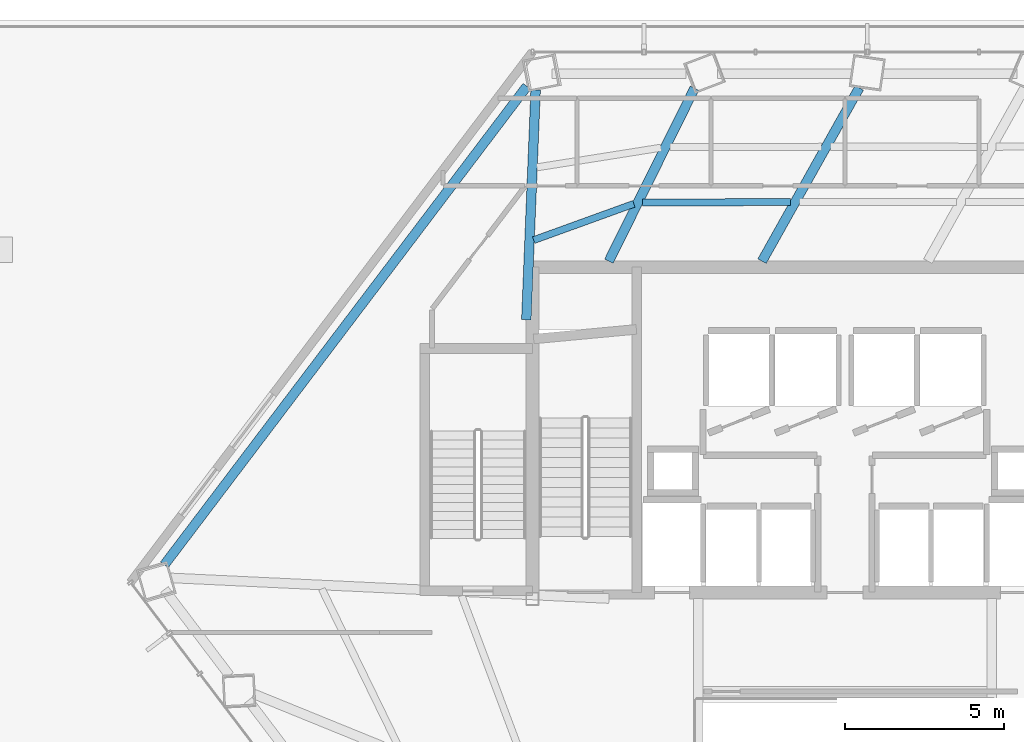
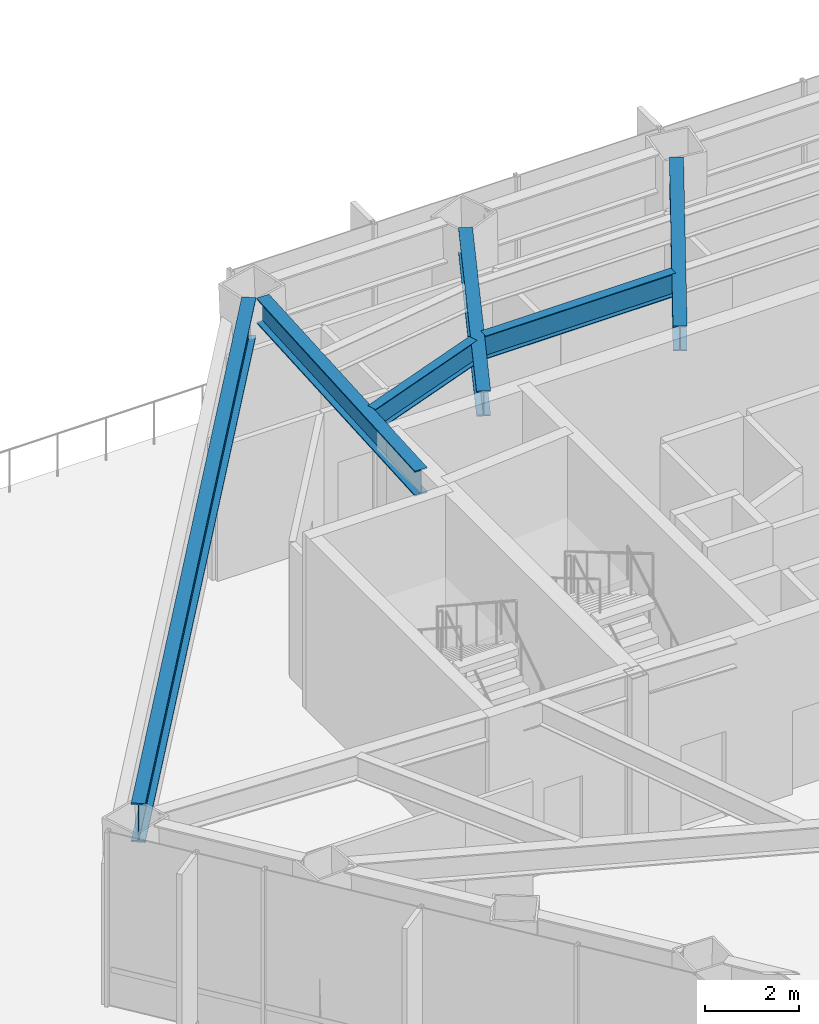
# One storey, part 13 of 30: 6 beams.
"""IFC4 building model written with IfcOpenShell, lengths in metres."""

from ifc_helpers import new_model, si_unit, direction, frame, origin, origin_2d, place, context, subcontext, project, spatial, i_section, extrude, material, material_profile, profile_set, type_object, element, save


model = new_model("IFC4")

# Units and contexts
model_context = context("Model", 3, precision=1e-05, world=origin(), true_north=direction((0.0, 1.0)))
body_context = subcontext(model_context, "Body", "Model", "MODEL_VIEW")
ifc_project = project(units=[si_unit("LENGTHUNIT", "METRE"), si_unit("AREAUNIT", "SQUARE_METRE"), si_unit("VOLUMEUNIT", "CUBIC_METRE"), si_unit("PLANEANGLEUNIT", "RADIAN"), si_unit("MASSUNIT", "GRAM", prefix="KILO")], contexts=[model_context])

# Site, building, storey
site_placement = place(None, origin())
site = spatial("IfcSite", under=ifc_project, at=site_placement, CompositionType="ELEMENT")
building_placement = place(site_placement, origin())
building = spatial("IfcBuilding", under=site, at=building_placement, Name="Zarrinselat Tower", CompositionType="ELEMENT")
storey_placement = place(building_placement, frame((0.0, 0.0, 22.780029296875)))
storey = spatial("IfcBuildingStorey", under=building, at=storey_placement, Name="L05", CompositionType="ELEMENT", Elevation=22.780029296875)

# Beams
ifc_material_1 = material(Name="Steel S355J2", Category="steel")
ifc_material_profile_1 = material_profile(ifc_material_1, i_section(OverallWidth=0.300048828125, OverallDepth=0.64990234375, WebThickness=0.01611328125, FlangeThickness=0.031005859375, at=origin_2d()), Name="HEB 650")
ifc_profile_set_1 = profile_set([ifc_material_profile_1], Name="Steel S355J2")
beam_type_1 = type_object("IfcBeamType", Name="BM-HEB650", PredefinedType="BEAM", material=ifc_profile_set_1)
beam_1_placement = place(storey_placement, frame((35.800048828125, 43.639892578125, 4.175048828125), z_axis=(0.48932512593, 0.872101439704, 0.0), x_axis=(-0.872101439704, 0.48932512593, 0.0)))
element("IfcBeam", 1, at=beam_1_placement, inside=storey, type_object=beam_type_1, Name="L05 Radial Primary Girder RG03", PredefinedType="BEAM", context=body_context, shape_type="SweptSolid", body=[
    extrude(i_section(OverallWidth=0.300048828125, OverallDepth=0.64990234375, WebThickness=0.01611328125, FlangeThickness=0.031005859375, at=origin_2d()), origin(), (0.0, 0.0, 1.0), 6.230224609375),
])
beam_2_placement = place(storey_placement, frame((31.0, 43.639892578125, 4.175048828125), z_axis=(0.443885399975, 0.896083562894, 0.0), x_axis=(-0.896083562894, 0.443885399975, 0.0)))
element("IfcBeam", 2, at=beam_2_placement, inside=storey, type_object=beam_type_1, Name="L05 Radial Primary Girder RG04", PredefinedType="BEAM", context=body_context, shape_type="SweptSolid", body=[
    extrude(i_section(OverallWidth=0.300048828125, OverallDepth=0.64990234375, WebThickness=0.01611328125, FlangeThickness=0.031005859375, at=origin_2d()), origin(), (0.0, 0.0, 1.0), 6.050048828125),
])
beam_3_placement = place(storey_placement, frame((28.409912109375, 41.800048828125, 4.175048828125), z_axis=(0.040501788713, 0.999179465917, 0.0), x_axis=(-0.999179465917, 0.040501788713, 0.0)))
element("IfcBeam", 3, at=beam_3_placement, inside=storey, type_object=beam_type_1, Name="L05 Radial Primary Girder RG05", PredefinedType="BEAM", context=body_context, shape_type="SweptSolid", body=[
    extrude(i_section(OverallWidth=0.300048828125, OverallDepth=0.64990234375, WebThickness=0.01611328125, FlangeThickness=0.031005859375, at=origin_2d()), origin(), (0.0, 0.0, 1.0), 7.21533203125),
])
ifc_material_2 = material(Name="Steel S460M", Category="steel")
ifc_material_profile_2 = material_profile(ifc_material_2, i_section(OverallWidth=0.302001953125, OverallDepth=1.008056640625, WebThickness=0.02099609375, FlangeThickness=0.0400390625, at=origin_2d()), Name="HEM 1000")
ifc_profile_set_2 = profile_set([ifc_material_profile_2], Name="Steel S460M")
beam_type_2 = type_object("IfcBeamType", Name="BM-HEM1000", PredefinedType="BEAM", material=ifc_profile_set_2)
beam_4_placement = place(storey_placement, frame((17.06298828125, 34.12060546875, 3.995849609375), z_axis=(0.603857687995, 0.797092148154, 0.0), x_axis=(-0.797092148154, 0.603857687995, 0.0)))
element("IfcBeam", 4, at=beam_4_placement, inside=storey, type_object=beam_type_2, Name="L05 Perimeter Spandrel Girder SP05", PredefinedType="BEAM", context=body_context, shape_type="SweptSolid", body=[
    extrude(i_section(OverallWidth=0.302001953125, OverallDepth=1.008056640625, WebThickness=0.02099609375, FlangeThickness=0.0400390625, at=origin_2d()), origin(), (0.0, 0.0, 1.0), 18.8203125),
])
ifc_material_3 = material(Name="Steel S355J2", Category="steel")
ifc_material_profile_3 = material_profile(ifc_material_3, i_section(OverallWidth=0.219970703125, OverallDepth=0.60009765625, WebThickness=0.011962890625, FlangeThickness=0.01904296875, at=origin_2d()), Name="IPE 600")
ifc_profile_set_3 = profile_set([ifc_material_profile_3], Name="Steel S355J2")
beam_type_3 = type_object("IfcBeamType", Name="BM-IPE600", PredefinedType="JOIST", material=ifc_profile_set_3)
beam_5_placement = place(storey_placement, frame((32.052978515625, 45.4833984375, 4.199951171875), z_axis=(0.999999646175, 0.000841219471, 0.0), x_axis=(-0.000841219471, 0.999999646175, 0.0)))
element("IfcBeam", 5, at=beam_5_placement, inside=storey, type_object=beam_type_3, Name="L05 Composite Floor Joist 10-2", PredefinedType="JOIST", context=body_context, shape_type="SweptSolid", body=[
    extrude(i_section(OverallWidth=0.219970703125, OverallDepth=0.60009765625, WebThickness=0.011962890625, FlangeThickness=0.01904296875, at=origin_2d()), origin(), (0.0, 0.0, 1.0), 4.6435546875),
])
beam_6_placement = place(storey_placement, frame((28.64111328125, 44.298828125, 4.199951171875), z_axis=(0.940296104803, 0.340357510998, 0.0), x_axis=(-0.340357510998, 0.940296104803, 0.0)))
element("IfcBeam", 6, at=beam_6_placement, inside=storey, type_object=beam_type_3, Name="L05 Composite Floor Joist 11-2", PredefinedType="JOIST", context=body_context, shape_type="SweptSolid", body=[
    extrude(i_section(OverallWidth=0.219970703125, OverallDepth=0.60009765625, WebThickness=0.011962890625, FlangeThickness=0.01904296875, at=origin_2d()), origin(), (0.0, 0.0, 1.0), 3.33984375),
])

save(model, "model.ifc")
